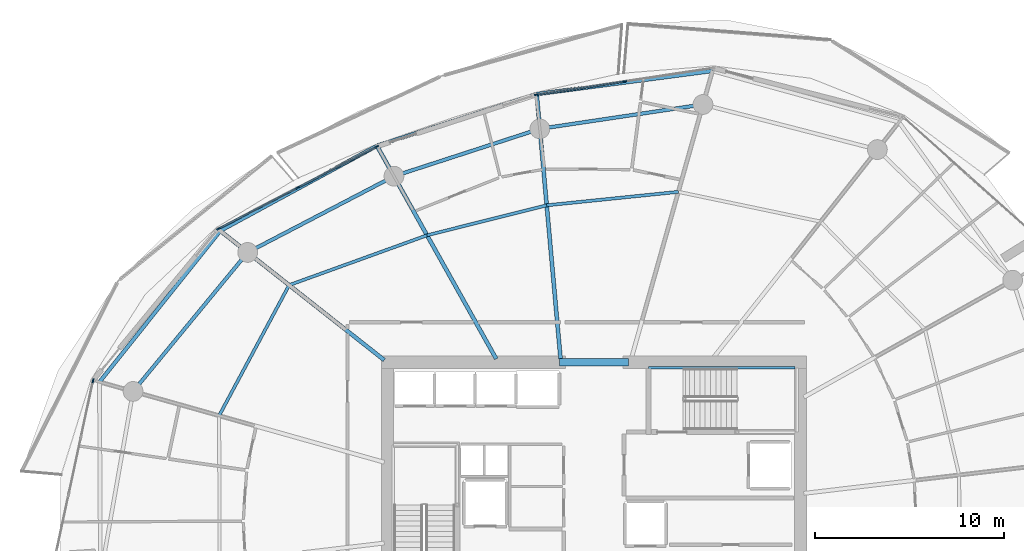
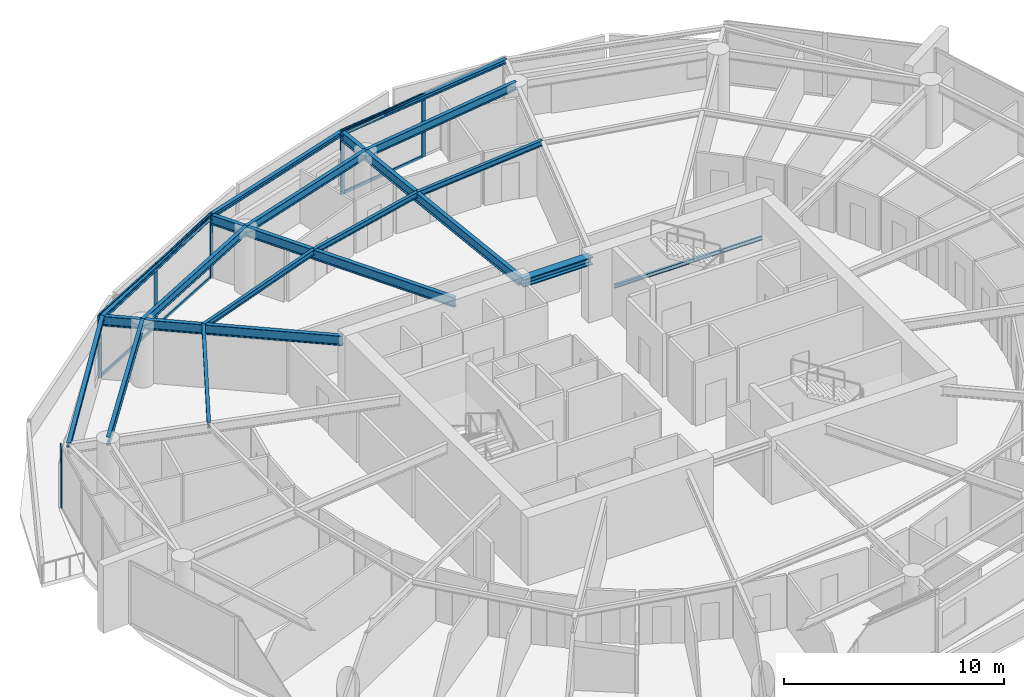
# One storey, part 8 of 21: 17 beams, 12 members, 3 elements without a shape of their own.
"""IFC4 building model written with IfcOpenShell, lengths in metres."""

import ifcopenshell
import ifcopenshell.guid

model = None  # the IFC model being written
_history = None  # IfcOwnerHistory: only IFC2X3 demands one
_inside = {}  # id of a spatial element -> (the spatial element, [elements in it])
_under = {}  # id of a project, library or spatial element -> (it, [spatial elements below it])
_declared = {}  # id of a project -> (the project, [libraries it declares])
_typed = {}  # id of a type object -> (the type object, [elements of that type])
_made_of = {}  # id of a material, layer set ... -> (it, [elements and type objects made of it])


def new_model(schema):
    """Start an empty IFC model of exactly this schema.

    Asked for "IFC4X3", IfcOpenShell would pick the latest addendum, in which some entities
    have other attributes; the version numbers below select the first issue.
    IFC2X3 requires an IfcOwnerHistory on every rooted entity: one is made here for all.
    """
    global model, _history
    if schema == "IFC4X3":
        model = ifcopenshell.file(schema_version=(4, 3, 0, 0))
    else:
        model = ifcopenshell.file(schema=schema)
    _inside.clear()
    _under.clear()
    _declared.clear()
    _typed.clear()
    _made_of.clear()
    _history = None
    if model.schema == "IFC2X3":
        org = make("IfcOrganization", Name="unknown")
        user = make(
            "IfcPersonAndOrganization",
            ThePerson=make("IfcPerson", FamilyName="unknown"),
            TheOrganization=org,
        )
        app = make(
            "IfcApplication",
            ApplicationDeveloper=org,
            Version="unknown",
            ApplicationFullName="unknown",
            ApplicationIdentifier="unknown",
        )
        _history = make(
            "IfcOwnerHistory",
            OwningUser=user,
            OwningApplication=app,
            ChangeAction="ADDED",
            CreationDate=0,
        )
    return model


def make(cls, **values):
    """One entity of the class cls with the attributes given. An attribute that is None is left unset."""
    return model.create_entity(
        cls, **{name: value for name, value in values.items() if value is not None}
    )


def rooted(cls, **values):
    """An entity with a GlobalId (a new one), such as an element, a storey or a relation."""
    return make(cls, GlobalId=ifcopenshell.guid.new(), OwnerHistory=_history, **values)


def si_unit(unit_type, name, prefix=None):
    """IfcSIUnit, for example si_unit("LENGTHUNIT", "METRE", prefix="MILLI")."""
    return make("IfcSIUnit", UnitType=unit_type, Prefix=prefix, Name=name)


def assignment(units):
    """IfcUnitAssignment: the units of a project."""
    return None if units is None else make("IfcUnitAssignment", Units=units)


def point(xyz):
    """IfcCartesianPoint."""
    return None if xyz is None else make("IfcCartesianPoint", Coordinates=xyz)


def direction(xyz):
    """IfcDirection."""
    return None if xyz is None else make("IfcDirection", DirectionRatios=xyz)


def frame(location, z_axis=None, x_axis=None):
    """IfcAxis2Placement3D, a coordinate frame: its origin and axes. An axis left out is left unset."""
    return make(
        "IfcAxis2Placement3D",
        Location=point(location),
        Axis=direction(z_axis),
        RefDirection=direction(x_axis),
    )


def frame_2d(location, x_axis=None):
    """IfcAxis2Placement2D, a coordinate frame in the plane: its origin and x axis."""
    return make(
        "IfcAxis2Placement2D", Location=point(location), RefDirection=direction(x_axis)
    )


def origin():
    """The frame at (0, 0, 0) with its axes left unset."""
    return frame((0.0, 0.0, 0.0))


def origin_2d():
    """The frame at (0, 0) in the plane with its x axis left unset."""
    return frame_2d((0.0, 0.0))


def place(relative_to, where):
    """IfcLocalPlacement: puts the frame where relative to a parent placement (None: the world)."""
    return make(
        "IfcLocalPlacement", PlacementRelTo=relative_to, RelativePlacement=where
    )


def context(
    kind, dimensions, precision=None, world=None, true_north=None, identifier=None
):
    """IfcGeometricRepresentationContext, for example the 3D "Model" context."""
    return make(
        "IfcGeometricRepresentationContext",
        ContextIdentifier=identifier,
        ContextType=kind,
        CoordinateSpaceDimension=dimensions,
        Precision=precision,
        WorldCoordinateSystem=world,
        TrueNorth=true_north,
    )


def subcontext(parent, identifier, kind, view, scale=None):
    """IfcGeometricRepresentationSubContext, for example "Body" below "Model"."""
    return make(
        "IfcGeometricRepresentationSubContext",
        ContextIdentifier=identifier,
        ContextType=kind,
        ParentContext=parent,
        TargetScale=scale,
        TargetView=view,
    )


def project(units=None, contexts=None):
    """IfcProject with its units and contexts."""
    return rooted(
        "IfcProject",
        Name="project",
        RepresentationContexts=contexts,
        UnitsInContext=assignment(units),
    )


def spatial(cls, under=None, at=None, **own):
    """A site, building, storey or space (cls), placed at a placement, below another one or the project."""
    s = rooted(cls, ObjectPlacement=at, **own)
    if under is not None:
        _under.setdefault(under.id(), (under, []))[1].append(s)
    return s


def profile(cls, at=None, kind="AREA", **sizes):
    """A parametric profile (cls). Its sizes go by their IFC names, for example OverallWidth=200.0."""
    return make(cls, ProfileType=kind, Position=at, **sizes)


def rectangle(**sizes):
    """IfcRectangleProfileDef."""
    return profile("IfcRectangleProfileDef", **sizes)


def i_section(**sizes):
    """IfcIShapeProfileDef."""
    return profile("IfcIShapeProfileDef", **sizes)


def extrude(swept, where, along, depth):
    """IfcExtrudedAreaSolid: the profile swept, set in the frame where, extruded along a direction by depth."""
    return make(
        "IfcExtrudedAreaSolid",
        SweptArea=swept,
        Position=where,
        ExtrudedDirection=direction(along),
        Depth=depth,
    )


def shape(context_of_items, identifier, shape_type, items):
    """IfcShapeRepresentation: the items that make up one representation, for example the "Body"."""
    return make(
        "IfcShapeRepresentation",
        ContextOfItems=context_of_items,
        RepresentationIdentifier=identifier,
        RepresentationType=shape_type,
        Items=items,
    )


def material(Name=None, Category=None):
    """IfcMaterial."""
    return make("IfcMaterial", Name=Name, Category=Category)


def layer(
    of_material, thickness, ventilated=None, Name=None, Category=None, Priority=None
):
    """IfcMaterialLayer: one layer of a wall or slab, of a material (None: an air gap)."""
    return make(
        "IfcMaterialLayer",
        Material=of_material,
        LayerThickness=thickness,
        IsVentilated=ventilated,
        Name=Name,
        Category=Category,
        Priority=Priority,
    )


def layer_set(layers, Name=None):
    """IfcMaterialLayerSet."""
    return make("IfcMaterialLayerSet", MaterialLayers=layers, LayerSetName=Name)


def material_profile(
    of_material, cross_section, Name=None, Category=None, Priority=None
):
    """IfcMaterialProfile: a cross section and its material."""
    return make(
        "IfcMaterialProfile",
        Name=Name,
        Material=of_material,
        Profile=cross_section,
        Priority=Priority,
        Category=Category,
    )


def profile_set(profiles, Name=None, composite=None):
    """IfcMaterialProfileSet."""
    return make(
        "IfcMaterialProfileSet",
        Name=Name,
        MaterialProfiles=profiles,
        CompositeProfile=composite,
    )


def made_of(thing, what):
    """Note that an element or type object is made of a material, layer set ...; save() writes the relation."""
    if what is not None:
        _made_of.setdefault(what.id(), (what, []))[1].append(thing)
    return thing


def type_object(cls, material=None, **own):
    """A type object (cls), such as IfcWallType, which elements share."""
    return made_of(rooted(cls, **own), material)


def element(
    cls,
    number,
    at=None,
    inside=None,
    cuts=None,
    type_object=None,
    material=None,
    context=None,
    identifier="Body",
    shape_type=None,
    held_by="IfcProductDefinitionShape",
    body=None,
    shapes=None,
    **own,
):
    """One element of the class cls, such as IfcWall. Its Tag is "e" and its number.

    at: its placement. inside: the storey or other place that contains it. cuts: it is an
    opening in that element (IfcRelVoidsElement). A single representation is given by context,
    identifier, shape_type and body (its items); several are given by shapes. held_by: the class
    of the entity that holds the representations. save() writes the other relations.
    """
    e = rooted(cls, Tag="e%d" % number, ObjectPlacement=at, **own)
    if body is not None:
        shapes = [shape(context, identifier, shape_type, body)]
    if shapes is not None:
        e.Representation = make(held_by, Representations=shapes)
    if inside is not None:
        _inside.setdefault(inside.id(), (inside, []))[1].append(e)
    if cuts is not None:
        rooted(
            "IfcRelVoidsElement", RelatingBuildingElement=cuts, RelatedOpeningElement=e
        )
    if type_object is not None:
        _typed.setdefault(type_object.id(), (type_object, []))[1].append(e)
    return made_of(e, material)


def aggregate(whole, parts):
    """IfcRelAggregates: a whole, such as a stair, and the parts it consists of."""
    return rooted("IfcRelAggregates", RelatingObject=whole, RelatedObjects=parts)


def save(model, path):
    """Write the relations noted so far, then the file.

    IfcRelAggregates (storeys below a building ...), IfcRelContainedInSpatialStructure (elements
    in a storey), IfcRelDefinesByType, IfcRelAssociatesMaterial and IfcRelDeclares: one each for
    every whole, place, type object, material and project.
    """
    for whole, parts in _under.values():
        aggregate(whole, parts)
    for where, things in _inside.values():
        rooted(
            "IfcRelContainedInSpatialStructure",
            RelatedElements=things,
            RelatingStructure=where,
        )
    for kind, things in _typed.values():
        rooted("IfcRelDefinesByType", RelatedObjects=things, RelatingType=kind)
    for what, things in _made_of.values():
        rooted("IfcRelAssociatesMaterial", RelatedObjects=things, RelatingMaterial=what)
    for by, libraries in _declared.values():
        rooted("IfcRelDeclares", RelatingContext=by, RelatedDefinitions=libraries)
    model.write(path)


model = new_model("IFC4")

# Units and contexts
model_context = context("Model", 3, precision=1e-05, world=origin(), true_north=direction((0.0, 1.0)))
body_context = subcontext(model_context, "Body", "Model", "MODEL_VIEW")
ifc_project = project(units=[si_unit("LENGTHUNIT", "METRE"), si_unit("AREAUNIT", "SQUARE_METRE"), si_unit("VOLUMEUNIT", "CUBIC_METRE"), si_unit("PLANEANGLEUNIT", "RADIAN"), si_unit("MASSUNIT", "GRAM", prefix="KILO")], contexts=[model_context])

# Site, building, storey
site_placement = place(None, origin())
site = spatial("IfcSite", under=ifc_project, at=site_placement, CompositionType="ELEMENT")
building_placement = place(site_placement, origin())
building = spatial("IfcBuilding", under=site, at=building_placement, Name="Kazma Halo Residences", CompositionType="ELEMENT")
storey_placement = place(building_placement, frame((0.0, 0.0, 187.800048828125)))
storey = spatial("IfcBuildingStorey", under=building, at=storey_placement, Name="L47", CompositionType="ELEMENT", Elevation=187.800048828125)

# Beams
ifc_material_1 = material(Name="Steel S355", Category="steel")
ifc_material_profile_1 = material_profile(ifc_material_1, i_section(OverallWidth=0.201904296875, OverallDepth=0.2470703125, WebThickness=0.00732421875, FlangeThickness=0.010986328125, FilletRadius=0.011962890625, at=origin_2d()), Name="W250x49.1")
ifc_profile_set_1 = profile_set([ifc_material_profile_1], Name="Steel S355")
beam_type_1 = type_object("IfcBeamType", Name="BM-BAL-CANT", PredefinedType="BEAM", material=ifc_profile_set_1)
beam_1_placement = place(storey_placement, frame((54.70458984375, 65.772216796875, 3.37646484375), z_axis=(-0.991401891123, -0.130852169558, 0.0), x_axis=(0.130852169558, -0.991401891123, 0.0)))
element("IfcBeam", 1, at=beam_1_placement, inside=storey, type_object=beam_type_1, Name="L47 wave-balcony tie beam 03", PredefinedType="BEAM", context=body_context, shape_type="SweptSolid", body=[
    extrude(i_section(OverallWidth=0.201904296875, OverallDepth=0.2470703125, WebThickness=0.00732421875, FlangeThickness=0.010986328125, FilletRadius=0.011962890625, at=origin_2d()), origin(), (0.0, 0.0, 1.0), 9.401611328125),
])
beam_2_placement = place(storey_placement, frame((45.3837890625, 64.5419921875, 3.37646484375), z_axis=(-0.951434599458, -0.307850942753, 0.0), x_axis=(0.307850942753, -0.951434599458, 0.0)))
element("IfcBeam", 2, at=beam_2_placement, inside=storey, type_object=beam_type_1, Name="L47 wave-balcony tie beam 04", PredefinedType="BEAM", context=body_context, shape_type="SweptSolid", body=[
    extrude(i_section(OverallWidth=0.201904296875, OverallDepth=0.2470703125, WebThickness=0.00732421875, FlangeThickness=0.010986328125, FilletRadius=0.011962890625, at=origin_2d()), origin(), (0.0, 0.0, 1.0), 8.905029296875),
])
beam_3_placement = place(storey_placement, frame((36.9111328125, 61.800537109375, 3.37646484375), z_axis=(-0.878890557257, -0.477023467309, 0.0), x_axis=(0.477023467309, -0.878890557257, 0.0)))
element("IfcBeam", 3, at=beam_3_placement, inside=storey, type_object=beam_type_1, Name="L47 wave-balcony tie beam 05", PredefinedType="BEAM", context=body_context, shape_type="SweptSolid", body=[
    extrude(i_section(OverallWidth=0.201904296875, OverallDepth=0.2470703125, WebThickness=0.00732421875, FlangeThickness=0.010986328125, FilletRadius=0.011962890625, at=origin_2d()), origin(), (0.0, 0.0, 1.0), 9.452880859375),
])
beam_4_placement = place(storey_placement, frame((28.60302734375, 57.291259765625, 3.37646484375), z_axis=(-0.624195724924, -0.781268005864, 0.0), x_axis=(0.781268005864, -0.624195724924, 0.0)))
element("IfcBeam", 4, at=beam_4_placement, inside=storey, type_object=beam_type_1, Name="L47 wave-balcony tie beam 06", PredefinedType="BEAM", context=body_context, shape_type="SweptSolid", body=[
    extrude(i_section(OverallWidth=0.201904296875, OverallDepth=0.2470703125, WebThickness=0.00732421875, FlangeThickness=0.010986328125, FilletRadius=0.011962890625, at=origin_2d()), origin(), (0.0, 0.0, 1.0), 10.258544921875),
])
ifc_material_profile_2 = material_profile(ifc_material_1, i_section(OverallWidth=0.408935546875, OverallDepth=0.425048828125, WebThickness=0.03271484375, FlangeThickness=0.052490234375, FilletRadius=0.02001953125, at=origin_2d()), Name="W360x421")
ifc_profile_set_2 = profile_set([ifc_material_profile_2], Name="Steel S355")
beam_type_2 = type_object("IfcBeamType", Name="BM-CORE-W360H", PredefinedType="BEAM", material=ifc_profile_set_2)
beam_5_placement = place(storey_placement, frame((46.60009765625, 50.324951171875, 3.287353515625), z_axis=(1.0, 0.0, 0.0), x_axis=(0.0, 1.0, 0.0)))
element("IfcBeam", 5, at=beam_5_placement, inside=storey, type_object=beam_type_2, Name="L47 core coupling beam N", PredefinedType="BEAM", context=body_context, shape_type="SweptSolid", body=[
    extrude(i_section(OverallWidth=0.408935546875, OverallDepth=0.425048828125, WebThickness=0.03271484375, FlangeThickness=0.052490234375, FilletRadius=0.02001953125, at=origin_2d()), origin(), (0.0, 0.0, 1.0), 3.64990234375),
])
ifc_material_profile_3 = material_profile(ifc_material_1, i_section(OverallWidth=0.208984375, OverallDepth=0.532958984375, WebThickness=0.01025390625, FlangeThickness=0.015625, FilletRadius=0.01611328125, at=origin_2d()), Name="W530x92")
ifc_profile_set_3 = profile_set([ifc_material_profile_3], Name="Steel S355")
beam_type_3 = type_object("IfcBeamType", Name="BM-RAD-W530", PredefinedType="BEAM", material=ifc_profile_set_3)
beam_6_placement = place(storey_placement, frame((46.64990234375, 50.5, 3.2333984375), z_axis=(-0.089801911205, 0.995959646142, 0.0), x_axis=(-0.995959646142, -0.089801911205, 0.0)))
element("IfcBeam", 6, at=beam_6_placement, inside=storey, type_object=beam_type_3, Name="L47 radial floor beam 04", PredefinedType="BEAM", context=body_context, shape_type="SweptSolid", body=[
    extrude(i_section(OverallWidth=0.208984375, OverallDepth=0.532958984375, WebThickness=0.01025390625, FlangeThickness=0.015625, FilletRadius=0.01611328125, at=origin_2d()), origin(), (0.0, 0.0, 1.0), 14.098876953125),
])
beam_7_placement = place(storey_placement, frame((43.23974609375, 50.5, 3.2333984375), z_axis=(-0.488621736368, 0.872495729931, 0.0), x_axis=(-0.872495729931, -0.488621736368, 0.0)))
element("IfcBeam", 7, at=beam_7_placement, inside=storey, type_object=beam_type_3, Name="L47 radial floor beam 05", PredefinedType="BEAM", context=body_context, shape_type="SweptSolid", body=[
    extrude(i_section(OverallWidth=0.208984375, OverallDepth=0.532958984375, WebThickness=0.01025390625, FlangeThickness=0.015625, FilletRadius=0.01611328125, at=origin_2d()), origin(), (0.0, 0.0, 1.0), 12.951904296875),
])
beam_8_placement = place(storey_placement, frame((37.300048828125, 50.435302734375, 3.2333984375), z_axis=(-0.785326671572, 0.619081593102, 0.0), x_axis=(-0.619081593102, -0.785326671572, 0.0)))
element("IfcBeam", 8, at=beam_8_placement, inside=storey, type_object=beam_type_3, Name="L47 radial floor beam 06", PredefinedType="BEAM", context=body_context, shape_type="SweptSolid", body=[
    extrude(i_section(OverallWidth=0.208984375, OverallDepth=0.532958984375, WebThickness=0.01025390625, FlangeThickness=0.015625, FilletRadius=0.01611328125, at=origin_2d()), origin(), (0.0, 0.0, 1.0), 11.074462890625),
])
ifc_material_profile_4 = material_profile(ifc_material_1, i_section(OverallWidth=0.1650390625, OverallDepth=0.31005859375, WebThickness=0.005859375, FlangeThickness=0.009765625, FilletRadius=0.011962890625, at=origin_2d()), Name="W310x38.7")
ifc_profile_set_4 = profile_set([ifc_material_profile_4], Name="Steel S355")
beam_type_4 = type_object("IfcBeamType", Name="BM-SEC-W310B", PredefinedType="JOIST", material=ifc_profile_set_4)
beam_9_placement = place(storey_placement, frame((52.8955078125, 59.35791015625, 3.344970703125), z_axis=(-0.994813898595, -0.101711883088, 0.0), x_axis=(0.101711883088, -0.994813898595, 0.0)))
element("IfcBeam", 9, at=beam_9_placement, inside=storey, type_object=beam_type_4, Name="L47 circumferential floor joist 03", PredefinedType="JOIST", context=body_context, shape_type="SweptSolid", body=[
    extrude(i_section(OverallWidth=0.1650390625, OverallDepth=0.31005859375, WebThickness=0.005859375, FlangeThickness=0.009765625, FilletRadius=0.011962890625, at=origin_2d()), origin(), (0.0, 0.0, 1.0), 7.01611328125),
])
beam_10_placement = place(storey_placement, frame((45.915771484375, 58.644287109375, 3.344970703125), z_axis=(-0.970019458253, -0.243027263102, 0.0), x_axis=(0.243027263102, -0.970019458253, 0.0)))
element("IfcBeam", 10, at=beam_10_placement, inside=storey, type_object=beam_type_4, Name="L47 circumferential floor joist 04", PredefinedType="JOIST", context=body_context, shape_type="SweptSolid", body=[
    extrude(i_section(OverallWidth=0.1650390625, OverallDepth=0.31005859375, WebThickness=0.005859375, FlangeThickness=0.009765625, FilletRadius=0.011962890625, at=origin_2d()), origin(), (0.0, 0.0, 1.0), 6.542724609375),
])
beam_11_placement = place(storey_placement, frame((39.569091796875, 57.05419921875, 3.344970703125), z_axis=(-0.940484507564, -0.339836565177, 0.0), x_axis=(0.339836565177, -0.940484507564, 0.0)))
element("IfcBeam", 11, at=beam_11_placement, inside=storey, type_object=beam_type_4, Name="L47 circumferential floor joist 05", PredefinedType="JOIST", context=body_context, shape_type="SweptSolid", body=[
    extrude(i_section(OverallWidth=0.1650390625, OverallDepth=0.31005859375, WebThickness=0.005859375, FlangeThickness=0.009765625, FilletRadius=0.011962890625, at=origin_2d()), origin(), (0.0, 0.0, 1.0), 7.776123046875),
])
beam_12_placement = place(storey_placement, frame((32.255859375, 54.41162109375, 3.344970703125), z_axis=(-0.472683532566, -0.881232249774, 0.0), x_axis=(0.881232249774, -0.472683532566, 0.0)))
element("IfcBeam", 12, at=beam_12_placement, inside=storey, type_object=beam_type_4, Name="L47 circumferential floor joist 06", PredefinedType="JOIST", context=body_context, shape_type="SweptSolid", body=[
    extrude(i_section(OverallWidth=0.1650390625, OverallDepth=0.31005859375, WebThickness=0.005859375, FlangeThickness=0.009765625, FilletRadius=0.011962890625, at=origin_2d()), origin(), (0.0, 0.0, 1.0), 7.85693359375),
])
ifc_material_profile_5 = material_profile(ifc_material_1, i_section(OverallWidth=0.18994140625, OverallDepth=0.45703125, WebThickness=0.009033203125, FlangeThickness=0.014404296875, FilletRadius=0.01611328125, at=origin_2d()), Name="W460x74")
ifc_profile_set_5 = profile_set([ifc_material_profile_5], Name="Steel S355")
beam_type_5 = type_object("IfcBeamType", Name="BM-SPN-W460", PredefinedType="BEAM", material=ifc_profile_set_5)
beam_13_placement = place(storey_placement, frame((54.202392578125, 63.99169921875, 3.271484375), z_axis=(-0.98903439143, -0.147685383732, 0.0), x_axis=(0.147685383732, -0.98903439143, 0.0)))
element("IfcBeam", 13, at=beam_13_placement, inside=storey, type_object=beam_type_5, Name="L47 perimeter ring beam 03", PredefinedType="BEAM", context=body_context, shape_type="SweptSolid", body=[
    extrude(i_section(OverallWidth=0.18994140625, OverallDepth=0.45703125, WebThickness=0.009033203125, FlangeThickness=0.014404296875, FilletRadius=0.01611328125, at=origin_2d()), origin(), (0.0, 0.0, 1.0), 8.748291015625),
])
beam_14_placement = place(storey_placement, frame((45.550048828125, 62.69970703125, 3.271484375), z_axis=(-0.951048627281, -0.30904127321, 0.0), x_axis=(0.30904127321, -0.951048627281, 0.0)))
element("IfcBeam", 14, at=beam_14_placement, inside=storey, type_object=beam_type_5, Name="L47 perimeter ring beam 04", PredefinedType="BEAM", context=body_context, shape_type="SweptSolid", body=[
    extrude(i_section(OverallWidth=0.18994140625, OverallDepth=0.45703125, WebThickness=0.009033203125, FlangeThickness=0.014404296875, FilletRadius=0.01611328125, at=origin_2d()), origin(), (0.0, 0.0, 1.0), 8.133056640625),
])
beam_15_placement = place(storey_placement, frame((37.815185546875, 60.186279296875, 3.271484375), z_axis=(-0.886961243394, -0.461843861838, 0.0), x_axis=(0.461843861838, -0.886961243394, 0.0)))
element("IfcBeam", 15, at=beam_15_placement, inside=storey, type_object=beam_type_5, Name="L47 perimeter ring beam 05", PredefinedType="BEAM", context=body_context, shape_type="SweptSolid", body=[
    extrude(i_section(OverallWidth=0.18994140625, OverallDepth=0.45703125, WebThickness=0.009033203125, FlangeThickness=0.014404296875, FilletRadius=0.01611328125, at=origin_2d()), origin(), (0.0, 0.0, 1.0), 8.748046875),
])
beam_16_placement = place(storey_placement, frame((30.055908203125, 56.14599609375, 3.271484375), z_axis=(-0.63601715545, -0.771674917289, 0.0), x_axis=(0.771674917289, -0.63601715545, 0.0)))
element("IfcBeam", 16, at=beam_16_placement, inside=storey, type_object=beam_type_5, Name="L47 perimeter ring beam 06", PredefinedType="BEAM", context=body_context, shape_type="SweptSolid", body=[
    extrude(i_section(OverallWidth=0.18994140625, OverallDepth=0.45703125, WebThickness=0.009033203125, FlangeThickness=0.014404296875, FilletRadius=0.01611328125, at=origin_2d()), origin(), (0.0, 0.0, 1.0), 9.552734375),
])
ifc_material_profile_6 = material_profile(ifc_material_1, i_section(OverallWidth=0.133056640625, OverallDepth=0.20703125, WebThickness=0.005859375, FlangeThickness=0.00830078125, FilletRadius=0.010009765625, at=origin_2d()), Name="W200x26.6")
ifc_profile_set_6 = profile_set([ifc_material_profile_6], Name="Steel S355")
beam_type_6 = type_object("IfcBeamType", Name="BM-TRIM-W200", PredefinedType="BEAM", material=ifc_profile_set_6)
beam_17_placement = place(storey_placement, frame((51.31005859375, 50.02001953125, 1.570068359375), z_axis=(1.0, 0.0, 0.0), x_axis=(0.0, 1.0, 0.0)))
element("IfcBeam", 17, at=beam_17_placement, inside=storey, type_object=beam_type_6, Name="L47 ST-02 landing north wall ledger", PredefinedType="BEAM", context=body_context, shape_type="SweptSolid", body=[
    extrude(i_section(OverallWidth=0.133056640625, OverallDepth=0.20703125, WebThickness=0.005859375, FlangeThickness=0.00830078125, FilletRadius=0.010009765625, at=origin_2d()), origin(), (0.0, 0.0, 1.0), 7.760009765625),
])

# Curtain wall, members
ifc_material_2 = material(Name="Aluminium AW-6063 T6 and Triple-Silver Low-E Glass", Category="aluminium")
ifc_layer = layer(ifc_material_2, 0.219970703125)
ifc_layer_set = layer_set([ifc_layer], Name="Aluminium AW-6063 T6 and Triple-Silver Low-E Glass")
curtain_wall_type = type_object("IfcCurtainWallType", Name="CW-SYS-4", PredefinedType="NOTDEFINED", material=ifc_layer_set)
curtain_wall_1_placement = place(storey_placement, origin())
curtain_wall_1 = element("IfcCurtainWall", 18, at=curtain_wall_1_placement, inside=storey, type_object=curtain_wall_type, Name="L47 unitised curtain wall B03", PredefinedType="NOTDEFINED")
ifc_material_3 = material(Name="Aluminium AW-6063 T6", Category="aluminium")
ifc_material_profile_7 = material_profile(ifc_material_3, rectangle(XDim=0.074951171875, YDim=0.219970703125, at=origin_2d()), Name="CWM-75x220")
ifc_profile_set_7 = profile_set([ifc_material_profile_7], Name="Aluminium AW-6063 T6")
member_type_1 = type_object("IfcMemberType", Name="CW-SYS-4-MUL", PredefinedType="MULLION", material=ifc_profile_set_7)
member_1_placement = place(storey_placement, frame((50.041259765625, 65.211181640625, 0.0), z_axis=(0.0, 0.0, 1.0), x_axis=(0.148772639188, -0.988871428361, 0.0)))
member_1 = element("IfcMember", 19, at=member_1_placement, type_object=member_type_1, Name="CWS-4 mullion 2", PredefinedType="MULLION", context=body_context, shape_type="SweptSolid", body=[
    extrude(rectangle(XDim=0.074951171875, YDim=0.219970703125, at=origin_2d()), origin(), (0.0, 0.0, 1.0), 3.5),
])
member_2_placement = place(storey_placement, frame((45.373779296875, 64.509033203125, 0.0), z_axis=(0.0, 0.0, 1.0), x_axis=(0.148772639188, -0.988871428361, 0.0)))
member_2 = element("IfcMember", 20, at=member_2_placement, type_object=member_type_1, Name="CWS-4 mullion 3", PredefinedType="MULLION", context=body_context, shape_type="SweptSolid", body=[
    extrude(rectangle(XDim=0.074951171875, YDim=0.219970703125, at=origin_2d()), origin(), (0.0, 0.0, 1.0), 3.5),
])

curtain_wall_2_placement = place(storey_placement, origin())
curtain_wall_2 = element("IfcCurtainWall", 21, at=curtain_wall_2_placement, inside=storey, type_object=curtain_wall_type, Name="L47 unitised curtain wall B05", PredefinedType="NOTDEFINED")
member_3_placement = place(storey_placement, frame((36.894287109375, 61.75390625, 0.0), z_axis=(0.0, 0.0, 1.0), x_axis=(0.460873851097, -0.887465657575, 0.0)))
member_3 = element("IfcMember", 22, at=member_3_placement, type_object=member_type_1, Name="CWS-4 mullion 1", PredefinedType="MULLION", context=body_context, shape_type="SweptSolid", body=[
    extrude(rectangle(XDim=0.074951171875, YDim=0.219970703125, at=origin_2d()), origin(), (0.0, 0.0, 1.0), 3.5),
])
member_4_placement = place(storey_placement, frame((32.705322265625, 59.578369140625, 0.0), z_axis=(0.0, 0.0, 1.0), x_axis=(0.460873851097, -0.887465657575, 0.0)))
member_4 = element("IfcMember", 23, at=member_4_placement, type_object=member_type_1, Name="CWS-4 mullion 2", PredefinedType="MULLION", context=body_context, shape_type="SweptSolid", body=[
    extrude(rectangle(XDim=0.074951171875, YDim=0.219970703125, at=origin_2d()), origin(), (0.0, 0.0, 1.0), 3.5),
])
member_5_placement = place(storey_placement, frame((28.5166015625, 57.403076171875, 0.0), z_axis=(0.0, 0.0, 1.0), x_axis=(0.460873851097, -0.887465657575, 0.0)))
member_5 = element("IfcMember", 24, at=member_5_placement, type_object=member_type_1, Name="CWS-4 mullion 3", PredefinedType="MULLION", context=body_context, shape_type="SweptSolid", body=[
    extrude(rectangle(XDim=0.074951171875, YDim=0.219970703125, at=origin_2d()), origin(), (0.0, 0.0, 1.0), 3.5),
])

# Curtain wall, member
curtain_wall_3_placement = place(storey_placement, origin())
curtain_wall_3 = element("IfcCurtainWall", 25, at=curtain_wall_3_placement, inside=storey, type_object=curtain_wall_type, Name="L47 unitised curtain wall B07", PredefinedType="NOTDEFINED")
member_6_placement = place(storey_placement, frame((21.8564453125, 49.334228515625, 0.0), z_axis=(0.0, 0.0, 1.0), x_axis=(0.977768017212, -0.209689543175, 0.0)))
member_6 = element("IfcMember", 26, at=member_6_placement, type_object=member_type_1, Name="CWS-4 mullion 1", PredefinedType="MULLION", context=body_context, shape_type="SweptSolid", body=[
    extrude(rectangle(XDim=0.074951171875, YDim=0.219970703125, at=origin_2d()), origin(), (0.0, 0.0, 1.0), 3.5),
])
aggregate(curtain_wall_3, [member_6])

# Member
ifc_material_profile_8 = material_profile(ifc_material_3, rectangle(XDim=0.074951171875, YDim=0.1650390625, at=origin_2d()), Name="CWT-75x165")
ifc_profile_set_8 = profile_set([ifc_material_profile_8], Name="Aluminium AW-6063 T6")
member_type_2 = type_object("IfcMemberType", Name="CW-SYS-4-TRN", PredefinedType="USERDEFINED", material=ifc_profile_set_8)
member_7_placement = place(storey_placement, frame((50.004150390625, 65.20556640625, 0.037353515625), z_axis=(-0.988876518566, -0.148738801357, 0.0), x_axis=(0.148738801357, -0.988876518566, 0.0)))
member_7 = element("IfcMember", 27, at=member_7_placement, type_object=member_type_2, Name="CWS-4 transom 2.1", ObjectType="TRANSOM", PredefinedType="USERDEFINED", context=body_context, shape_type="SweptSolid", body=[
    extrude(rectangle(XDim=0.074951171875, YDim=0.1650390625, at=origin_2d()), origin(), (0.0, 0.0, 1.0), 4.645263671875),
])

member_8_placement = place(storey_placement, frame((50.004150390625, 65.20556640625, 3.46240234375), z_axis=(-0.988876518566, -0.148738801357, 0.0), x_axis=(0.148738801357, -0.988876518566, 0.0)))
member_8 = element("IfcMember", 28, at=member_8_placement, type_object=member_type_2, Name="CWS-4 transom 2.2", ObjectType="TRANSOM", PredefinedType="USERDEFINED", context=body_context, shape_type="SweptSolid", body=[
    extrude(rectangle(XDim=0.074951171875, YDim=0.1650390625, at=origin_2d()), origin(), (0.0, 0.0, 1.0), 4.645263671875),
])

aggregate(curtain_wall_1, [member_1, member_2, member_7, member_8])

member_9_placement = place(storey_placement, frame((36.861083984375, 61.736572265625, 0.037353515625), z_axis=(-0.887457630519, -0.460889307789, 0.0), x_axis=(0.460889307789, -0.887457630519, 0.0)))
member_9 = element("IfcMember", 29, at=member_9_placement, type_object=member_type_2, Name="CWS-4 transom 1.1", ObjectType="TRANSOM", PredefinedType="USERDEFINED", context=body_context, shape_type="SweptSolid", body=[
    extrude(rectangle(XDim=0.074951171875, YDim=0.1650390625, at=origin_2d()), origin(), (0.0, 0.0, 1.0), 4.64501953125),
])

member_10_placement = place(storey_placement, frame((36.861083984375, 61.736572265625, 3.46240234375), z_axis=(-0.887457630519, -0.460889307789, 0.0), x_axis=(0.460889307789, -0.887457630519, 0.0)))
member_10 = element("IfcMember", 30, at=member_10_placement, type_object=member_type_2, Name="CWS-4 transom 1.2", ObjectType="TRANSOM", PredefinedType="USERDEFINED", context=body_context, shape_type="SweptSolid", body=[
    extrude(rectangle(XDim=0.074951171875, YDim=0.1650390625, at=origin_2d()), origin(), (0.0, 0.0, 1.0), 4.64501953125),
])

member_11_placement = place(storey_placement, frame((32.672119140625, 59.561279296875, 0.037353515625), z_axis=(-0.887457630519, -0.460889307789, 0.0), x_axis=(0.460889307789, -0.887457630519, 0.0)))
member_11 = element("IfcMember", 31, at=member_11_placement, type_object=member_type_2, Name="CWS-4 transom 2.1", ObjectType="TRANSOM", PredefinedType="USERDEFINED", context=body_context, shape_type="SweptSolid", body=[
    extrude(rectangle(XDim=0.074951171875, YDim=0.1650390625, at=origin_2d()), origin(), (0.0, 0.0, 1.0), 4.64501953125),
])

member_12_placement = place(storey_placement, frame((32.672119140625, 59.561279296875, 3.46240234375), z_axis=(-0.887457630519, -0.460889307789, 0.0), x_axis=(0.460889307789, -0.887457630519, 0.0)))
member_12 = element("IfcMember", 32, at=member_12_placement, type_object=member_type_2, Name="CWS-4 transom 2.2", ObjectType="TRANSOM", PredefinedType="USERDEFINED", context=body_context, shape_type="SweptSolid", body=[
    extrude(rectangle(XDim=0.074951171875, YDim=0.1650390625, at=origin_2d()), origin(), (0.0, 0.0, 1.0), 4.64501953125),
])

aggregate(curtain_wall_2, [member_3, member_4, member_5, member_9, member_10, member_11, member_12])

save(model, "model.ifc")
